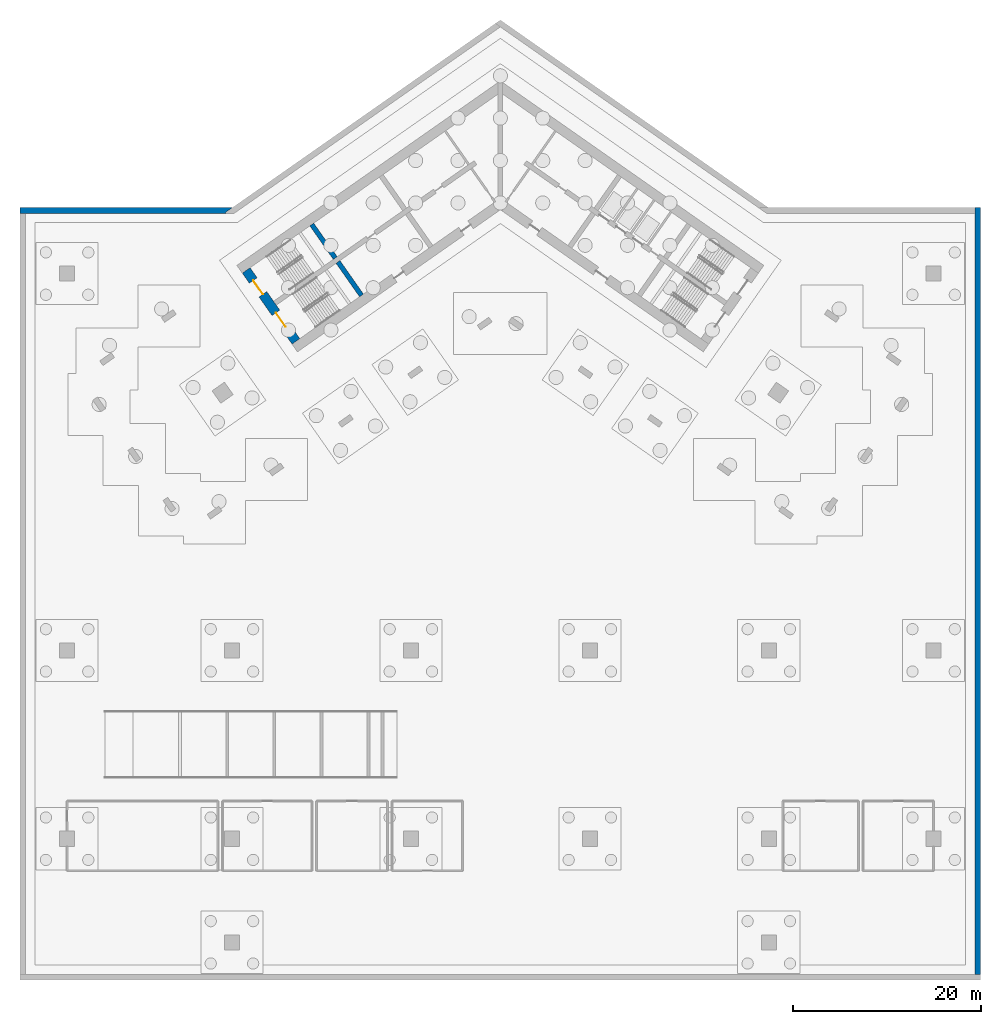
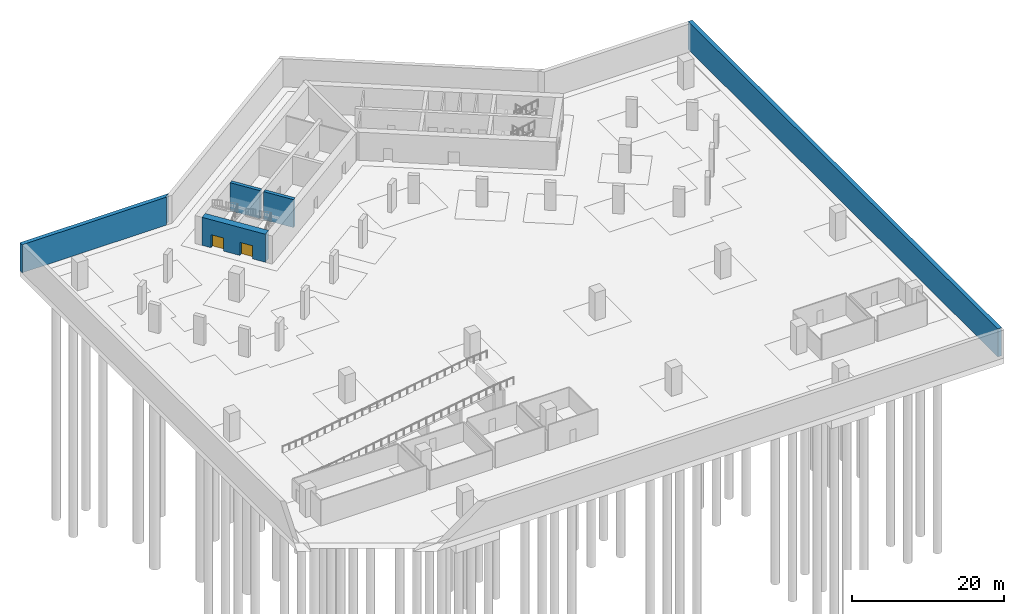
# One storey, part 7 of 13: 5 walls, 2 doors, 2 openings.
"""IFC4 building model written with IfcOpenShell, lengths in metres."""

from ifc_helpers import new_model, si_unit, direction, frame, frame_2d, origin, place, context, subcontext, project, spatial, polyline, rectangle, outline, extrude, material, layer, layer_set, type_object, element, fill, save


model = new_model("IFC4")

# Units and contexts
model_context = context("Model", 3, precision=1e-05, world=origin(), true_north=direction((0.0, 1.0)))
body_context = subcontext(model_context, "Body", "Model", "MODEL_VIEW")
ifc_project = project(units=[si_unit("LENGTHUNIT", "METRE"), si_unit("AREAUNIT", "SQUARE_METRE"), si_unit("VOLUMEUNIT", "CUBIC_METRE"), si_unit("PLANEANGLEUNIT", "RADIAN"), si_unit("MASSUNIT", "GRAM", prefix="KILO")], contexts=[model_context])

# Site, building, storey
site_placement = place(None, origin())
site = spatial("IfcSite", under=ifc_project, at=site_placement, CompositionType="ELEMENT")
building_placement = place(site_placement, origin())
building = spatial("IfcBuilding", under=site, at=building_placement, Name="Tel Ilan Convention Tower", CompositionType="ELEMENT")
storey_placement = place(building_placement, frame((0.0, 0.0, -9.0)))
storey = spatial("IfcBuildingStorey", under=building, at=storey_placement, Name="B2", CompositionType="ELEMENT", Elevation=-9.0)

# Walls
ifc_material_1 = material(Name="Concrete C40/50", Category="concrete")
ifc_layer_1 = layer(ifc_material_1, 0.60009765625)
ifc_layer_set_1 = layer_set([ifc_layer_1], Name="Basement Retaining Wall 600 mm C40/50")
wall_type_1 = type_object("IfcWallType", Name="Basement Retaining Wall 600 mm C40/50", PredefinedType="SOLIDWALL", material=ifc_layer_set_1)
wall_1_placement = place(storey_placement, frame((50.699951171875, -83.0, 0.0), z_axis=(0.0, 0.0, 1.0), x_axis=(0.0, 1.0, 0.0)))
element("IfcWall", 1, at=wall_1_placement, inside=storey, type_object=wall_type_1, Name="B2 retaining wall 2", PredefinedType="SOLIDWALL", context=body_context, shape_type="SweptSolid", body=[
    extrude(outline(polyline([(0.60009765625, -0.300048828125), (0.60009765625, 0.300048828125), (81.39990234375, 0.300048828125), (82.0, 0.300048828125), (82.0, -0.300048828125), (0.60009765625, -0.300048828125)])), origin(), (0.0, 0.0, 1.0), 4.5),
])
wall_2_placement = place(storey_placement, frame((-28.45166015625, -1.300048828125, 0.0), z_axis=(0.0, 0.0, 1.0), x_axis=(-1.0, 0.0, 0.0)))
element("IfcWall", 2, at=wall_2_placement, inside=storey, type_object=wall_type_1, Name="B2 retaining wall 6", PredefinedType="SOLIDWALL", context=body_context, shape_type="SweptSolid", body=[
    extrude(outline(polyline([(21.9482421875, 0.300048828125), (22.54833984375, 0.300048828125), (22.54833984375, -0.300048828125), (0.0, -0.300048828125), (0.737060546875, 0.216064453125), (0.678466796875, 0.300048828125), (21.9482421875, 0.300048828125)])), origin(), (0.0, 0.0, 1.0), 4.5),
])

# Wall, openings, doors
ifc_material_2 = material(Name="Concrete C60/75", Category="concrete")
ifc_layer_2 = layer(ifc_material_2, 1.0)
ifc_layer_set_2 = layer_set([ifc_layer_2], Name="Core Shear Wall 1000 mm C60/75")
wall_type_2 = type_object("IfcWallType", Name="Core Shear Wall 1000 mm C60/75", PredefinedType="SHEAR", material=ifc_layer_set_2)
wall_3_placement = place(storey_placement, frame((-21.70751953125, -15.19970703125, 0.0), z_axis=(0.0, 0.0, 1.0), x_axis=(-0.573576324356, 0.819152122709, 0.0)))
wall_3 = element("IfcWall", 3, at=wall_3_placement, inside=storey, type_object=wall_type_2, Name="B2 core wall W-end", PredefinedType="SHEAR", context=body_context, shape_type="SweptSolid", body=[
    extrude(outline(polyline([(0.0, 0.5), (0.0, -0.5), (9.199951171875, -0.5), (9.199951171875, 0.5), (0.0, 0.5)])), origin(), (0.0, 0.0, 1.0), 4.5),
])
opening_1_placement = place(wall_3_placement, frame((6.10009765625, 0.0, 0.0)))
opening_1 = element("IfcOpeningElement", 4, at=opening_1_placement, cuts=wall_3, Name="Opening SD0101", PredefinedType="OPENING", context=body_context, shape_type="SweptSolid", body=[
    extrude(rectangle(XDim=1.800048828125, YDim=2.10009765625, at=frame_2d((0.89990234375, 1.050048828125))), frame((0.0, 0.510009765625, 0.0), z_axis=(0.0, -1.0, 0.0), x_axis=(1.0, 0.0, 0.0)), (0.0, 0.0, 1.0), 1.02001953125),
])
opening_2_placement = place(wall_3_placement, frame((1.89990234375, 0.0, 0.0)))
opening_2 = element("IfcOpeningElement", 5, at=opening_2_placement, cuts=wall_3, Name="Opening SD0102", PredefinedType="OPENING", context=body_context, shape_type="SweptSolid", body=[
    extrude(rectangle(XDim=1.800048828125, YDim=2.10009765625, at=frame_2d((0.89990234375, 1.050048828125))), frame((0.0, 0.510009765625, 0.0), z_axis=(0.0, -1.0, 0.0), x_axis=(1.0, 0.0, 0.0)), (0.0, 0.0, 1.0), 1.02001953125),
])
ifc_material_3 = material(Name="Galvanised Steel Door Leaf", Category="steel")
door_type = type_object("IfcDoorType", Name="Stair Fire Door 1800 x 2100 FD60S", OperationType="NOTDEFINED", PredefinedType="DOOR", material=ifc_material_3)
door_1_placement = place(opening_1_placement, origin())
door_1 = element("IfcDoor", 6, at=door_1_placement, inside=storey, type_object=door_type, Name="Stair S1 door", OperationType="DOUBLE_DOOR_SINGLE_SWING", OverallHeight=2.10009765625, OverallWidth=1.800048828125, PredefinedType="DOOR", context=body_context, shape_type="SweptSolid", body=[
    extrude(rectangle(XDim=1.800048828125, YDim=2.10009765625, at=frame_2d((0.89990234375, 1.050048828125))), frame((0.0, 0.02490234375, 0.0), z_axis=(0.0, -1.0, 0.0), x_axis=(1.0, 0.0, 0.0)), (0.0, 0.0, 1.0), 0.050048828125),
])
fill(opening_1, door_1)
door_2_placement = place(opening_2_placement, origin())
door_2 = element("IfcDoor", 7, at=door_2_placement, inside=storey, type_object=door_type, Name="Stair S2 door", OperationType="DOUBLE_DOOR_SINGLE_SWING", OverallHeight=2.10009765625, OverallWidth=1.800048828125, PredefinedType="DOOR", context=body_context, shape_type="SweptSolid", body=[
    extrude(rectangle(XDim=1.800048828125, YDim=2.10009765625, at=frame_2d((0.89990234375, 1.050048828125))), frame((0.0, 0.02490234375, 0.0), z_axis=(0.0, -1.0, 0.0), x_axis=(1.0, 0.0, 0.0)), (0.0, 0.0, 1.0), 0.050048828125),
])
fill(opening_2, door_2)

# Walls
ifc_material_4 = material(Name="Concrete C60/75", Category="concrete")
ifc_layer_3 = layer(ifc_material_4, 0.5)
ifc_layer_set_3 = layer_set([ifc_layer_3], Name="Core Shear Wall 500 mm C60/75")
wall_type_3 = type_object("IfcWallType", Name="Core Shear Wall 500 mm C60/75", PredefinedType="SHEAR", material=ifc_layer_set_3)
wall_4_placement = place(storey_placement, frame((-14.74462890625, -10.324462890625, 0.0), z_axis=(0.0, 0.0, 1.0), x_axis=(-0.57356780395, 0.819158088694, 0.0)))
element("IfcWall", 8, at=wall_4_placement, inside=storey, type_object=wall_type_3, Name="B2 core wall W-cross2-1", PredefinedType="SHEAR", context=body_context, shape_type="SweptSolid", body=[
    extrude(outline(polyline([(4.35009765625, 0.250244140625), (0.0, 0.25), (0.0, -0.25), (4.35009765625, -0.25), (4.35009765625, 0.250244140625)])), origin(), (0.0, 0.0, 1.0), 4.5),
])
wall_5_placement = place(storey_placement, frame((-17.526611328125, -6.3515625, 0.0), z_axis=(0.0, 0.0, 1.0), x_axis=(-0.573530143085, 0.819184457233, 0.0)))
element("IfcWall", 9, at=wall_5_placement, inside=storey, type_object=wall_type_3, Name="B2 core wall W-cross2-2", PredefinedType="SHEAR", context=body_context, shape_type="SweptSolid", body=[
    extrude(outline(polyline([(4.35009765625, -0.249755859375), (4.35009765625, 0.250244140625), (0.0, 0.25), (0.0, -0.25), (4.35009765625, -0.249755859375)])), origin(), (0.0, 0.0, 1.0), 4.5),
])

save(model, "model.ifc")
